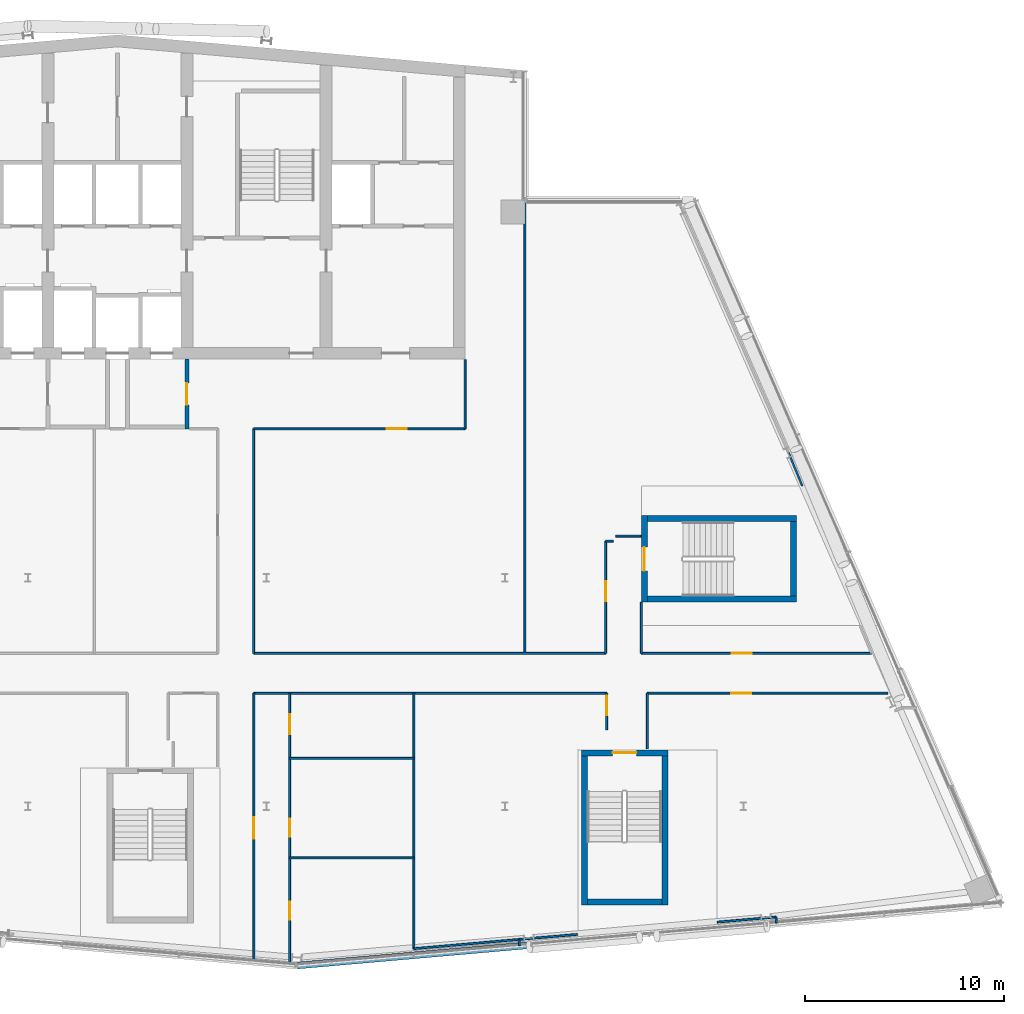
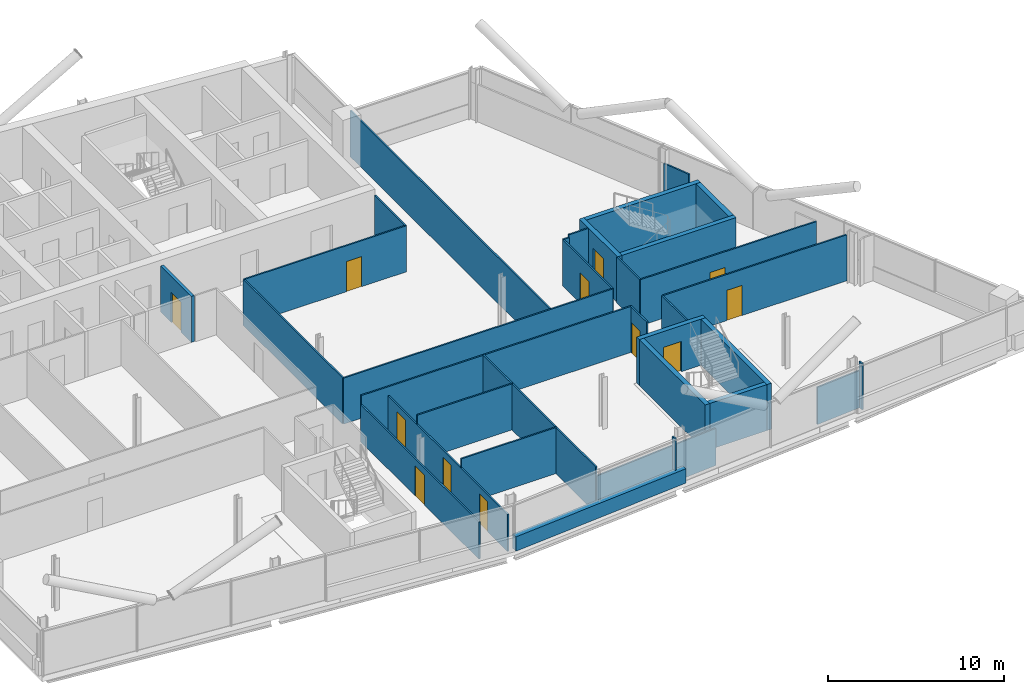
# One storey, part 16 of 26: 35 walls, 12 doors, 12 openings.
"""IFC4 building model written with IfcOpenShell, lengths in metres."""

from ifc_helpers import new_model, si_unit, direction, frame, frame_2d, origin, place, context, subcontext, project, spatial, rectangle, extrude, material, layer, layer_set, type_object, element, fill, save


model = new_model("IFC4")

# Units and contexts
model_context = context("Model", 3, precision=1e-05, world=origin(), true_north=direction((0.0, 1.0)))
body_context = subcontext(model_context, "Body", "Model", "MODEL_VIEW")
ifc_project = project(units=[si_unit("LENGTHUNIT", "METRE"), si_unit("AREAUNIT", "SQUARE_METRE"), si_unit("VOLUMEUNIT", "CUBIC_METRE"), si_unit("PLANEANGLEUNIT", "RADIAN"), si_unit("MASSUNIT", "GRAM", prefix="KILO")], contexts=[model_context])

# Site, building, storey
site_placement = place(None, origin())
site = spatial("IfcSite", under=ifc_project, at=site_placement, CompositionType="ELEMENT")
building_placement = place(site_placement, origin())
building = spatial("IfcBuilding", under=site, at=building_placement, Name="Wharfspan Tower", CompositionType="ELEMENT")
storey_placement = place(building_placement, frame((0.0, 0.0, 214.300049)))
storey = spatial("IfcBuildingStorey", under=building, at=storey_placement, Name="L53", CompositionType="ELEMENT", Elevation=214.300049)

# Walls
ifc_material_1 = material(Name="Gypsum board on steel studs", Category="steel")
ifc_layer_1 = layer(ifc_material_1, 0.100098)
ifc_layer_set_1 = layer_set([ifc_layer_1], Name="Gypsum board on steel studs")
wall_type_1 = type_object("IfcWallType", Name="Compartment wall 100 EI 60", PredefinedType="PARTITIONING", material=ifc_layer_set_1)
wall_1_placement = place(storey_placement, frame((47.360107, 19.199951, 0.0), z_axis=(0.0, 0.0, 1.0), x_axis=(0.0, 1.0, 0.0)))
element("IfcWall", 1, at=wall_1_placement, inside=storey, type_object=wall_type_1, Name="Partition L53.w022", PredefinedType="PARTITIONING", context=body_context, shape_type="SweptSolid", body=[
    extrude(rectangle(XDim=11.300049, YDim=0.100098, at=frame_2d((5.649902, 0.0))), origin(), (0.0, 0.0, 1.0), 3.199951),
])
wall_2_placement = place(storey_placement, frame((47.360107, 19.199951, 0.0), z_axis=(0.0, 0.0, 1.0), x_axis=(1.0, 0.0, 0.0)))
element("IfcWall", 2, at=wall_2_placement, inside=storey, type_object=wall_type_1, Name="Partition L53.w023", PredefinedType="PARTITIONING", context=body_context, shape_type="SweptSolid", body=[
    extrude(rectangle(XDim=17.709961, YDim=0.100098, at=frame_2d((8.85498, 0.0))), origin(), (0.0, 0.0, 1.0), 3.199951),
])

# Wall, opening, door
wall_3_placement = place(storey_placement, frame((47.360107, 30.5, 0.0), z_axis=(0.0, 0.0, 1.0), x_axis=(1.0, 0.0, 0.0)))
wall_3 = element("IfcWall", 3, at=wall_3_placement, inside=storey, type_object=wall_type_1, Name="Partition L53.w024", PredefinedType="PARTITIONING", context=body_context, shape_type="SweptSolid", body=[
    extrude(rectangle(XDim=10.639893, YDim=0.100098, at=frame_2d((5.319824, 0.0))), origin(), (0.0, 0.0, 1.0), 3.199951),
])
opening_1_placement = place(wall_3_placement, frame((6.699951, 0.0, 0.0)))
opening_1 = element("IfcOpeningElement", 4, at=opening_1_placement, cuts=wall_3, Name="Opening D2-15", PredefinedType="OPENING", context=body_context, shape_type="SweptSolid", body=[
    extrude(rectangle(XDim=1.0, YDim=2.100098, at=frame_2d((0.5, 1.050049))), frame((0.0, 0.060059, 0.0), z_axis=(0.0, -1.0, 0.0), x_axis=(1.0, 0.0, 0.0)), (0.0, 0.0, 1.0), 0.120117),
])
ifc_material_2 = material(Name="Fire-rated timber door leaf in steel frame", Category="steel")
door_type_1 = type_object("IfcDoorType", Name="Door 1000 FD30S Right", OperationType="SINGLE_SWING_RIGHT", PredefinedType="DOOR", material=ifc_material_2)
door_1_placement = place(opening_1_placement, origin())
door_1 = element("IfcDoor", 5, at=door_1_placement, inside=storey, type_object=door_type_1, Name="Door D2-15", OperationType="SINGLE_SWING_RIGHT", OverallHeight=2.100098, OverallWidth=1.0, PredefinedType="DOOR", context=body_context, shape_type="SweptSolid", body=[
    extrude(rectangle(XDim=1.0, YDim=2.100098, at=frame_2d((0.5, 1.050049))), frame((0.0, 0.024902, 0.0), z_axis=(0.0, -1.0, 0.0), x_axis=(1.0, 0.0, 0.0)), (0.0, 0.0, 1.0), 0.050049),
])
fill(opening_1, door_1)

wall_4_placement = place(storey_placement, frame((47.370117, 3.700684, 0.0), z_axis=(0.0, 0.0, 1.0), x_axis=(0.0, 1.0, 0.0)))
wall_4 = element("IfcWall", 6, at=wall_4_placement, inside=storey, type_object=wall_type_1, Name="Partition L53.w025", PredefinedType="PARTITIONING", context=body_context, shape_type="SweptSolid", body=[
    extrude(rectangle(XDim=13.484375, YDim=0.100098, at=frame_2d((6.742188, 0.0))), origin(), (0.0, 0.0, 1.0), 2.579834),
])
opening_2_placement = place(wall_4_placement, frame((6.159424, 0.0, 0.0)))
opening_2 = element("IfcOpeningElement", 7, at=opening_2_placement, cuts=wall_4, Name="Opening D2-02", PredefinedType="OPENING", context=body_context, shape_type="SweptSolid", body=[
    extrude(rectangle(XDim=1.100098, YDim=2.100098, at=frame_2d((0.550049, 1.050049))), frame((0.0, 0.060059, 0.0), z_axis=(0.0, -1.0, 0.0), x_axis=(1.0, 0.0, 0.0)), (0.0, 0.0, 1.0), 0.120117),
])
door_type_2 = type_object("IfcDoorType", Name="Door 1100 FD30S Left", OperationType="SINGLE_SWING_LEFT", PredefinedType="DOOR", material=ifc_material_2)
door_2_placement = place(opening_2_placement, origin())
door_2 = element("IfcDoor", 8, at=door_2_placement, inside=storey, type_object=door_type_2, Name="Door D2-02", OperationType="SINGLE_SWING_LEFT", OverallHeight=2.100098, OverallWidth=1.100098, PredefinedType="DOOR", context=body_context, shape_type="SweptSolid", body=[
    extrude(rectangle(XDim=1.100098, YDim=2.100098, at=frame_2d((0.550049, 1.050049))), frame((0.0, 0.024902, 0.0), z_axis=(0.0, -1.0, 0.0), x_axis=(1.0, 0.0, 0.0)), (0.0, 0.0, 1.0), 0.050049),
])
fill(opening_2, door_2)

# Wall
wall_5_placement = place(storey_placement, frame((47.370117, 17.185059, 0.0), z_axis=(0.0, 0.0, 1.0), x_axis=(1.0, 0.0, 0.0)))
element("IfcWall", 9, at=wall_5_placement, inside=storey, type_object=wall_type_1, Name="Partition L53.w026", PredefinedType="PARTITIONING", context=body_context, shape_type="SweptSolid", body=[
    extrude(rectangle(XDim=17.75, YDim=0.100098, at=frame_2d((8.875, 0.0))), origin(), (0.0, 0.0, 1.0), 3.199951),
])

# Wall, openings, doors
wall_6_placement = place(storey_placement, frame((49.159912, 3.543945, 0.0), z_axis=(0.0, 0.0, 1.0), x_axis=(0.0, 1.0, 0.0)))
wall_6 = element("IfcWall", 10, at=wall_6_placement, inside=storey, type_object=wall_type_1, Name="Partition L53.w027", PredefinedType="PARTITIONING", context=body_context, shape_type="SweptSolid", body=[
    extrude(rectangle(XDim=13.641113, YDim=0.100098, at=frame_2d((6.820557, 0.0))), origin(), (0.0, 0.0, 1.0), 2.579834),
])
opening_3_placement = place(wall_6_placement, frame((2.25, 0.0, 0.0)))
opening_3 = element("IfcOpeningElement", 11, at=opening_3_placement, cuts=wall_6, Name="Opening D2-01", PredefinedType="OPENING", context=body_context, shape_type="SweptSolid", body=[
    extrude(rectangle(XDim=0.899902, YDim=2.100098, at=frame_2d((0.449951, 1.050049))), frame((0.0, 0.060059, 0.0), z_axis=(0.0, -1.0, 0.0), x_axis=(1.0, 0.0, 0.0)), (0.0, 0.0, 1.0), 0.120117),
])
opening_4_placement = place(wall_6_placement, frame((6.429932, 0.0, 0.0)))
opening_4 = element("IfcOpeningElement", 12, at=opening_4_placement, cuts=wall_6, Name="Opening D2-03", PredefinedType="OPENING", context=body_context, shape_type="SweptSolid", body=[
    extrude(rectangle(XDim=0.899902, YDim=2.100098, at=frame_2d((0.449951, 1.050049))), frame((0.0, 0.060059, 0.0), z_axis=(0.0, -1.0, 0.0), x_axis=(1.0, 0.0, 0.0)), (0.0, 0.0, 1.0), 0.120117),
])
opening_5_placement = place(wall_6_placement, frame((11.584961, 0.0, 0.0)))
opening_5 = element("IfcOpeningElement", 13, at=opening_5_placement, cuts=wall_6, Name="Opening D2-04", PredefinedType="OPENING", context=body_context, shape_type="SweptSolid", body=[
    extrude(rectangle(XDim=1.0, YDim=2.100098, at=frame_2d((0.5, 1.050049))), frame((0.0, 0.060059, 0.0), z_axis=(0.0, -1.0, 0.0), x_axis=(1.0, 0.0, 0.0)), (0.0, 0.0, 1.0), 0.120117),
])
ifc_material_3 = material(Name="Timber door leaf in steel frame", Category="steel")
door_type_3 = type_object("IfcDoorType", Name="Door 1000 NOT RATED Right", OperationType="SINGLE_SWING_RIGHT", PredefinedType="DOOR", material=ifc_material_3)
door_3_placement = place(opening_5_placement, origin())
door_3 = element("IfcDoor", 14, at=door_3_placement, inside=storey, type_object=door_type_3, Name="Door D2-04", OperationType="SINGLE_SWING_RIGHT", OverallHeight=2.100098, OverallWidth=1.0, PredefinedType="DOOR", context=body_context, shape_type="SweptSolid", body=[
    extrude(rectangle(XDim=1.0, YDim=2.100098, at=frame_2d((0.5, 1.050049))), frame((0.0, 0.024902, 0.0), z_axis=(0.0, -1.0, 0.0), x_axis=(1.0, 0.0, 0.0)), (0.0, 0.0, 1.0), 0.050049),
])
fill(opening_5, door_3)
door_type_4 = type_object("IfcDoorType", Name="Door 900 NOT RATED Left", OperationType="SINGLE_SWING_LEFT", PredefinedType="DOOR", material=ifc_material_3)
door_4_placement = place(opening_3_placement, origin())
door_4 = element("IfcDoor", 15, at=door_4_placement, inside=storey, type_object=door_type_4, Name="Door D2-01", OperationType="SINGLE_SWING_LEFT", OverallHeight=2.100098, OverallWidth=0.899902, PredefinedType="DOOR", context=body_context, shape_type="SweptSolid", body=[
    extrude(rectangle(XDim=0.899902, YDim=2.100098, at=frame_2d((0.449951, 1.050049))), frame((0.0, 0.024902, 0.0), z_axis=(0.0, -1.0, 0.0), x_axis=(1.0, 0.0, 0.0)), (0.0, 0.0, 1.0), 0.050049),
])
fill(opening_3, door_4)
door_type_5 = type_object("IfcDoorType", Name="Door 900 NOT RATED Right", OperationType="SINGLE_SWING_RIGHT", PredefinedType="DOOR", material=ifc_material_3)
door_5_placement = place(opening_4_placement, origin())
door_5 = element("IfcDoor", 16, at=door_5_placement, inside=storey, type_object=door_type_5, Name="Door D2-03", OperationType="SINGLE_SWING_RIGHT", OverallHeight=2.100098, OverallWidth=0.899902, PredefinedType="DOOR", context=body_context, shape_type="SweptSolid", body=[
    extrude(rectangle(XDim=0.899902, YDim=2.100098, at=frame_2d((0.449951, 1.050049))), frame((0.0, 0.024902, 0.0), z_axis=(0.0, -1.0, 0.0), x_axis=(1.0, 0.0, 0.0)), (0.0, 0.0, 1.0), 0.050049),
])
fill(opening_4, door_5)

# Walls
wall_7_placement = place(storey_placement, frame((55.415039, 4.344971, 0.0), z_axis=(0.0, 0.0, 1.0), x_axis=(0.0, 1.0, 0.0)))
element("IfcWall", 17, at=wall_7_placement, inside=storey, type_object=wall_type_1, Name="Partition L53.w031", PredefinedType="PARTITIONING", context=body_context, shape_type="SweptSolid", body=[
    extrude(rectangle(XDim=12.850098, YDim=0.100098, at=frame_2d((6.425049, 0.0))), origin(), (0.0, 0.0, 1.0), 3.199951),
])
wall_8_placement = place(storey_placement, frame((58.0, 30.5, 0.0), z_axis=(0.0, 0.0, 1.0), x_axis=(0.0, 1.0, 0.0)))
element("IfcWall", 18, at=wall_8_placement, inside=storey, type_object=wall_type_1, Name="Partition L53.w033", PredefinedType="PARTITIONING", context=body_context, shape_type="SweptSolid", body=[
    extrude(rectangle(XDim=3.47998, YDim=0.100098, at=frame_2d((1.73999, 0.0))), origin(), (0.0, 0.0, 1.0), 3.199951),
])
wall_9_placement = place(storey_placement, frame((61.0, 19.199951, 0.0), z_axis=(0.0, 0.0, 1.0), x_axis=(0.0, 1.0, 0.0)))
element("IfcWall", 19, at=wall_9_placement, inside=storey, type_object=wall_type_1, Name="Partition L53.w036", PredefinedType="PARTITIONING", context=body_context, shape_type="SweptSolid", body=[
    extrude(rectangle(XDim=22.780029, YDim=0.100098, at=frame_2d((11.390137, 0.0))), origin(), (0.0, 0.0, 1.0), 3.199951),
])

# Wall, opening, door
wall_10_placement = place(storey_placement, frame((65.070068, 19.199951, 0.0), z_axis=(0.0, 0.0, 1.0), x_axis=(0.0, 1.0, 0.0)))
wall_10 = element("IfcWall", 20, at=wall_10_placement, inside=storey, type_object=wall_type_1, Name="Partition L53.w037", PredefinedType="PARTITIONING", context=body_context, shape_type="SweptSolid", body=[
    extrude(rectangle(XDim=5.650146, YDim=0.100098, at=frame_2d((2.825195, 0.0))), origin(), (0.0, 0.0, 1.0), 3.199951),
])
opening_6_placement = place(wall_10_placement, frame((2.618652, 0.0, 0.0)))
opening_6 = element("IfcOpeningElement", 21, at=opening_6_placement, cuts=wall_10, Name="Opening D2-11", PredefinedType="OPENING", context=body_context, shape_type="SweptSolid", body=[
    extrude(rectangle(XDim=1.0, YDim=2.100098, at=frame_2d((0.5, 1.050049))), frame((0.0, 0.060059, 0.0), z_axis=(0.0, -1.0, 0.0), x_axis=(1.0, 0.0, 0.0)), (0.0, 0.0, 1.0), 0.120117),
])
door_6_placement = place(opening_6_placement, origin())
door_6 = element("IfcDoor", 22, at=door_6_placement, inside=storey, type_object=door_type_1, Name="Door D2-11", OperationType="SINGLE_SWING_RIGHT", OverallHeight=2.100098, OverallWidth=1.0, PredefinedType="DOOR", context=body_context, shape_type="SweptSolid", body=[
    extrude(rectangle(XDim=1.0, YDim=2.100098, at=frame_2d((0.5, 1.050049))), frame((0.0, 0.024902, 0.0), z_axis=(0.0, -1.0, 0.0), x_axis=(1.0, 0.0, 0.0)), (0.0, 0.0, 1.0), 0.050049),
])
fill(opening_6, door_6)

# Wall
wall_11_placement = place(storey_placement, frame((65.070068, 24.850098, 0.0), z_axis=(0.0, 0.0, 1.0), x_axis=(1.0, 0.0, 0.0)))
element("IfcWall", 23, at=wall_11_placement, inside=storey, type_object=wall_type_1, Name="Partition L53.w038", PredefinedType="PARTITIONING", context=body_context, shape_type="SweptSolid", body=[
    extrude(rectangle(XDim=0.379883, YDim=0.100098, at=frame_2d((0.189941, 0.0))), origin(), (0.0, 0.0, 1.0), 3.199951),
])

# Wall, opening, door
wall_12_placement = place(storey_placement, frame((65.120117, 15.346191, 0.0), z_axis=(0.0, 0.0, 1.0), x_axis=(0.0, 1.0, 0.0)))
wall_12 = element("IfcWall", 24, at=wall_12_placement, inside=storey, type_object=wall_type_1, Name="Partition L53.w039", PredefinedType="PARTITIONING", context=body_context, shape_type="SweptSolid", body=[
    extrude(rectangle(XDim=1.848877, YDim=0.100098, at=frame_2d((0.924316, 0.0))), origin(), (0.0, 0.0, 1.0), 3.199951),
])
opening_7_placement = place(wall_12_placement, frame((0.72876, 0.0, 0.0)))
opening_7 = element("IfcOpeningElement", 25, at=opening_7_placement, cuts=wall_12, Name="Opening D2-05", PredefinedType="OPENING", context=body_context, shape_type="SweptSolid", body=[
    extrude(rectangle(XDim=1.0, YDim=2.100098, at=frame_2d((0.5, 1.050049))), frame((0.0, 0.060059, 0.0), z_axis=(0.0, -1.0, 0.0), x_axis=(1.0, 0.0, 0.0)), (0.0, 0.0, 1.0), 0.120117),
])
door_7_placement = place(opening_7_placement, origin())
door_7 = element("IfcDoor", 26, at=door_7_placement, inside=storey, type_object=door_type_1, Name="Door D2-05", OperationType="SINGLE_SWING_RIGHT", OverallHeight=2.100098, OverallWidth=1.0, PredefinedType="DOOR", context=body_context, shape_type="SweptSolid", body=[
    extrude(rectangle(XDim=1.0, YDim=2.100098, at=frame_2d((0.5, 1.050049))), frame((0.0, 0.024902, 0.0), z_axis=(0.0, -1.0, 0.0), x_axis=(1.0, 0.0, 0.0)), (0.0, 0.0, 1.0), 0.050049),
])
fill(opening_7, door_7)

# Walls
wall_13_placement = place(storey_placement, frame((65.570068, 25.100098, 0.0), z_axis=(0.0, 0.0, 1.0), x_axis=(1.0, 0.0, 0.0)))
element("IfcWall", 27, at=wall_13_placement, inside=storey, type_object=wall_type_1, Name="Partition L53.w040", PredefinedType="PARTITIONING", context=body_context, shape_type="SweptSolid", body=[
    extrude(rectangle(XDim=1.279541, YDim=0.100098, at=frame_2d((0.639648, 0.0))), origin(), (0.0, 0.0, 1.0), 3.199951),
])
wall_14_placement = place(storey_placement, frame((66.870117, 19.199951, 0.0), z_axis=(0.0, 0.0, 1.0), x_axis=(0.0, 1.0, 0.0)))
element("IfcWall", 28, at=wall_14_placement, inside=storey, type_object=wall_type_1, Name="Partition L53.w041", PredefinedType="PARTITIONING", context=body_context, shape_type="SweptSolid", body=[
    extrude(rectangle(XDim=2.574951, YDim=0.100098, at=frame_2d((1.287598, 0.0))), origin(), (0.0, 0.0, 1.0), 3.199951),
])

# Wall, opening, door
wall_15_placement = place(storey_placement, frame((66.870117, 19.199951, 0.0), z_axis=(0.0, 0.0, 1.0), x_axis=(1.0, 0.0, 0.0)))
wall_15 = element("IfcWall", 29, at=wall_15_placement, inside=storey, type_object=wall_type_1, Name="Partition L53.w042", PredefinedType="PARTITIONING", context=body_context, shape_type="SweptSolid", body=[
    extrude(rectangle(XDim=11.569824, YDim=0.100098, at=frame_2d((5.784912, 0.0))), origin(), (0.0, 0.0, 1.0), 3.199951),
])
opening_8_placement = place(wall_15_placement, frame((4.55127, 0.0, 0.0)))
opening_8 = element("IfcOpeningElement", 30, at=opening_8_placement, cuts=wall_15, Name="Opening D2-10", PredefinedType="OPENING", context=body_context, shape_type="SweptSolid", body=[
    extrude(rectangle(XDim=1.0, YDim=2.100098, at=frame_2d((0.5, 1.050049))), frame((0.0, 0.060059, 0.0), z_axis=(0.0, -1.0, 0.0), x_axis=(1.0, 0.0, 0.0)), (0.0, 0.0, 1.0), 0.120117),
])
door_type_6 = type_object("IfcDoorType", Name="Door 1000 FD30S Left", OperationType="SINGLE_SWING_LEFT", PredefinedType="DOOR", material=ifc_material_2)
door_8_placement = place(opening_8_placement, origin())
door_8 = element("IfcDoor", 31, at=door_8_placement, inside=storey, type_object=door_type_6, Name="Door D2-10", OperationType="SINGLE_SWING_LEFT", OverallHeight=2.100098, OverallWidth=1.0, PredefinedType="DOOR", context=body_context, shape_type="SweptSolid", body=[
    extrude(rectangle(XDim=1.0, YDim=2.100098, at=frame_2d((0.5, 1.050049))), frame((0.0, 0.024902, 0.0), z_axis=(0.0, -1.0, 0.0), x_axis=(1.0, 0.0, 0.0)), (0.0, 0.0, 1.0), 0.050049),
])
fill(opening_8, door_8)

# Wall
wall_16_placement = place(storey_placement, frame((67.169922, 14.39502, 0.0), z_axis=(0.0, 0.0, 1.0), x_axis=(0.0, 1.0, 0.0)))
element("IfcWall", 32, at=wall_16_placement, inside=storey, type_object=wall_type_1, Name="Partition L53.w043", PredefinedType="PARTITIONING", context=body_context, shape_type="SweptSolid", body=[
    extrude(rectangle(XDim=2.800049, YDim=0.100098, at=frame_2d((1.399902, 0.0))), origin(), (0.0, 0.0, 1.0), 3.199951),
])

# Wall, opening, door
wall_17_placement = place(storey_placement, frame((67.169922, 17.195068, 0.0), z_axis=(0.0, 0.0, 1.0), x_axis=(1.0, 0.0, 0.0)))
wall_17 = element("IfcWall", 33, at=wall_17_placement, inside=storey, type_object=wall_type_1, Name="Partition L53.w044", PredefinedType="PARTITIONING", context=body_context, shape_type="SweptSolid", body=[
    extrude(rectangle(XDim=12.094971, YDim=0.100098, at=frame_2d((6.047363, 0.0))), origin(), (0.0, 0.0, 1.0), 3.199951),
])
opening_9_placement = place(wall_17_placement, frame((4.219971, 0.0, 0.0)))
opening_9 = element("IfcOpeningElement", 34, at=opening_9_placement, cuts=wall_17, Name="Opening D2-08", PredefinedType="OPENING", context=body_context, shape_type="SweptSolid", body=[
    extrude(rectangle(XDim=1.0, YDim=2.100098, at=frame_2d((0.5, 1.050049))), frame((0.0, 0.060059, 0.0), z_axis=(0.0, -1.0, 0.0), x_axis=(1.0, 0.0, 0.0)), (0.0, 0.0, 1.0), 0.120117),
])
door_9_placement = place(opening_9_placement, origin())
door_9 = element("IfcDoor", 35, at=door_9_placement, inside=storey, type_object=door_type_6, Name="Door D2-08", OperationType="SINGLE_SWING_LEFT", OverallHeight=2.100098, OverallWidth=1.0, PredefinedType="DOOR", context=body_context, shape_type="SweptSolid", body=[
    extrude(rectangle(XDim=1.0, YDim=2.100098, at=frame_2d((0.5, 1.050049))), frame((0.0, 0.024902, 0.0), z_axis=(0.0, -1.0, 0.0), x_axis=(1.0, 0.0, 0.0)), (0.0, 0.0, 1.0), 0.050049),
])
fill(opening_9, door_9)

ifc_material_4 = material(Name="Concrete C30/37", Category="concrete")
ifc_layer_2 = layer(ifc_material_4, 0.199951)
ifc_layer_set_2 = layer_set([ifc_layer_2], Name="Concrete C30/37")
wall_type_2 = type_object("IfcWallType", Name="Lobby wall 200", PredefinedType="PARTITIONING", material=ifc_layer_set_2)
wall_18_placement = place(storey_placement, frame((44.0, 30.5, 0.0), z_axis=(0.0, 0.0, 1.0), x_axis=(0.0, 1.0, 0.0)))
wall_18 = element("IfcWall", 36, at=wall_18_placement, inside=storey, type_object=wall_type_2, Name="sw:L53:FLFF2E", PredefinedType="PARTITIONING", context=body_context, shape_type="SweptSolid", body=[
    extrude(rectangle(XDim=3.5, YDim=0.199951, at=frame_2d((1.75, 0.0))), origin(), (0.0, 0.0, 1.0), 3.199951),
])
opening_10_placement = place(wall_18_placement, frame((1.199951, 0.0, 0.0)))
opening_10 = element("IfcOpeningElement", 37, at=opening_10_placement, cuts=wall_18, Name="Opening FL.FF2.L53", PredefinedType="OPENING", context=body_context, shape_type="SweptSolid", body=[
    extrude(rectangle(XDim=1.100098, YDim=2.100098, at=frame_2d((0.550049, 1.050049))), frame((0.0, 0.109863, 0.0), z_axis=(0.0, -1.0, 0.0), x_axis=(1.0, 0.0, 0.0)), (0.0, 0.0, 1.0), 0.219971),
])
ifc_material_5 = material(Name="Steel door leaf", Category="steel")
door_type_7 = type_object("IfcDoorType", Name="Firefighting lobby door 1100x2100", OperationType="SINGLE_SWING_LEFT", PredefinedType="DOOR", material=ifc_material_5)
door_10_placement = place(opening_10_placement, origin())
door_10 = element("IfcDoor", 38, at=door_10_placement, inside=storey, type_object=door_type_7, Name="fd:L53:FF2", OperationType="SINGLE_SWING_LEFT", OverallHeight=2.100098, OverallWidth=1.100098, PredefinedType="DOOR", context=body_context, shape_type="SweptSolid", body=[
    extrude(rectangle(XDim=1.100098, YDim=2.100098, at=frame_2d((0.550049, 1.050049))), frame((0.0, 0.024902, 0.0), z_axis=(0.0, -1.0, 0.0), x_axis=(1.0, 0.0, 0.0)), (0.0, 0.0, 1.0), 0.050049),
])
fill(opening_10, door_10)

# Walls
ifc_layer_3 = layer(ifc_material_1, 0.100098)
ifc_layer_set_3 = layer_set([ifc_layer_3], Name="Gypsum board on steel studs")
wall_type_3 = type_object("IfcWallType", Name="Partition 100", PredefinedType="PARTITIONING", material=ifc_layer_set_3)
for number, where, z_axis, x_axis, name in (
    (39, (49.159912, 8.905029, 0.0), (0.0, 0.0, 1.0), (1.0, 0.0, 0.0), "Partition L53.w028"),
    (40, (49.159912, 13.909912, 0.0), (0.0, 0.0, 1.0), (1.0, 0.0, 0.0), "Partition L53.w029"),
):
    element("IfcWall", number, at=place(storey_placement, frame(where, z_axis=z_axis, x_axis=x_axis)), inside=storey, type_object=wall_type_3, Name=name, PredefinedType="PARTITIONING", context=body_context, shape_type="SweptSolid", body=[
        extrude(rectangle(XDim=6.255127, YDim=0.100098, at=frame_2d((3.127441, 0.0))), origin(), (0.0, 0.0, 1.0), 3.199951),
    ])
wall_19_placement = place(storey_placement, frame((55.415039, 4.340088, 0.0), z_axis=(0.0, 0.0, 1.0), x_axis=(0.996159, 0.087534, 0.0)))
element("IfcWall", 41, at=wall_19_placement, inside=storey, type_object=wall_type_3, Name="Partition L53.w030", PredefinedType="PARTITIONING", context=body_context, shape_type="SweptSolid", body=[
    extrude(rectangle(XDim=5.310303, YDim=0.100098, at=frame_2d((2.655273, 0.0))), origin(), (0.0, 0.0, 1.0), 2.579834),
])
wall_20_placement = place(storey_placement, frame((60.705078, 4.804932, 0.0), z_axis=(0.0, 0.0, 1.0), x_axis=(0.996324, 0.085692, 0.0)))
element("IfcWall", 42, at=wall_20_placement, inside=storey, type_object=wall_type_3, Name="Partition L53.w034", PredefinedType="PARTITIONING", context=body_context, shape_type="SweptSolid", body=[
    extrude(rectangle(XDim=2.95459, YDim=0.100098, at=frame_2d((1.477295, 0.0))), origin(), (0.0, 0.0, 1.0), 2.579834),
])
wall_21_placement = place(storey_placement, frame((60.73291, 4.49707, 0.0), z_axis=(0.0, 0.0, 1.0), x_axis=(-0.090037, 0.995936, 0.0)))
element("IfcWall", 43, at=wall_21_placement, inside=storey, type_object=wall_type_3, Name="Partition L53.w035", PredefinedType="PARTITIONING", context=body_context, shape_type="SweptSolid", body=[
    extrude(rectangle(XDim=0.309082, YDim=0.100098, at=frame_2d((0.154541, 0.0))), origin(), (0.0, 0.0, 1.0), 3.199951),
])
wall_22_placement = place(storey_placement, frame((70.688721, 5.676514, 0.0), z_axis=(0.0, 0.0, 1.0), x_axis=(0.996174, 0.087417, 0.0)))
element("IfcWall", 44, at=wall_22_placement, inside=storey, type_object=wall_type_3, Name="Partition L53.w045", PredefinedType="PARTITIONING", context=body_context, shape_type="SweptSolid", body=[
    extrude(rectangle(XDim=2.95752, YDim=0.100098, at=frame_2d((1.47876, 0.0))), origin(), (0.0, 0.0, 1.0), 2.579834),
])
wall_23_placement = place(storey_placement, frame((73.66333, 5.628174, 0.0), z_axis=(0.0, 0.0, 1.0), x_axis=(-0.091893, 0.995772, 0.0)))
element("IfcWall", 45, at=wall_23_placement, inside=storey, type_object=wall_type_3, Name="Partition L53.w046", PredefinedType="PARTITIONING", context=body_context, shape_type="SweptSolid", body=[
    extrude(rectangle(XDim=0.308105, YDim=0.100098, at=frame_2d((0.154053, 0.0))), origin(), (0.0, 0.0, 1.0), 3.199951),
])
wall_24_placement = place(storey_placement, frame((74.961914, 27.620117, 0.0), z_axis=(0.0, 0.0, 1.0), x_axis=(-0.381293, 0.924452, 0.0)))
element("IfcWall", 46, at=wall_24_placement, inside=storey, type_object=wall_type_3, Name="Partition L53.w048", PredefinedType="PARTITIONING", context=body_context, shape_type="SweptSolid", body=[
    extrude(rectangle(XDim=1.828125, YDim=0.100098, at=frame_2d((0.914062, 0.0))), origin(), (0.0, 0.0, 1.0), 2.579834),
])
ifc_material_6 = material(Name="Concrete C40/50", Category="concrete")
ifc_layer_4 = layer(ifc_material_6, 0.350098)
ifc_layer_set_4 = layer_set([ifc_layer_4], Name="Concrete C40/50")
wall_type_4 = type_object("IfcWallType", Name="SPANDREL EXPOSED CONCRETE 350", PredefinedType="SOLIDWALL", material=ifc_layer_set_4)
wall_25_placement = place(storey_placement, frame((49.54541, 3.493164, 0.0), z_axis=(0.0, 0.0, 1.0), x_axis=(0.996196, 0.087141, 0.0)))
element("IfcWall", 47, at=wall_25_placement, inside=storey, type_object=wall_type_4, Name="Spandrel upstand L53 S2 1", PredefinedType="SOLIDWALL", context=body_context, shape_type="SweptSolid", body=[
    extrude(rectangle(XDim=11.803467, YDim=0.350098, at=frame_2d((5.901855, 0.0))), origin(), (0.0, 0.0, 1.0), 1.0),
])

# Wall, opening, door
ifc_layer_5 = layer(ifc_material_6, 0.300049)
ifc_layer_set_5 = layer_set([ifc_layer_5], Name="Concrete C40/50")
wall_type_5 = type_object("IfcWallType", Name="Stair core wall 300", PredefinedType="SHEAR", material=ifc_layer_set_5)
wall_26_placement = place(storey_placement, frame((63.84375, 14.196289, 0.0), z_axis=(0.0, 0.0, 1.0), x_axis=(1.0, 0.0, 0.0)))
wall_26 = element("IfcWall", 48, at=wall_26_placement, inside=storey, type_object=wall_type_5, Name="ST5 stair enclosure wall L53", PredefinedType="SHEAR", context=body_context, shape_type="SweptSolid", body=[
    extrude(rectangle(XDim=4.350098, YDim=0.300049, at=frame_2d((2.175049, 0.0))), origin(), (0.0, 0.0, 1.0), 3.199951),
])
opening_11_placement = place(wall_26_placement, frame((1.574951, 0.0, 0.0)))
opening_11 = element("IfcOpeningElement", 49, at=opening_11_placement, cuts=wall_26, Name="Opening SD5.L53", PredefinedType="OPENING", context=body_context, shape_type="SweptSolid", body=[
    extrude(rectangle(XDim=1.199951, YDim=2.100098, at=frame_2d((0.600098, 1.050049))), frame((0.0, 0.159912, 0.0), z_axis=(0.0, -1.0, 0.0), x_axis=(1.0, 0.0, 0.0)), (0.0, 0.0, 1.0), 0.320068),
])
door_type_8 = type_object("IfcDoorType", Name="Stair door 1200x2100", OperationType="SINGLE_SWING_LEFT", PredefinedType="DOOR", material=ifc_material_5)
door_11_placement = place(opening_11_placement, origin())
door_11 = element("IfcDoor", 50, at=door_11_placement, inside=storey, type_object=door_type_8, Name="sd:L53:ST5z4", OperationType="SINGLE_SWING_RIGHT", OverallHeight=2.100098, OverallWidth=1.199951, PredefinedType="DOOR", context=body_context, shape_type="SweptSolid", body=[
    extrude(rectangle(XDim=1.199951, YDim=2.100098, at=frame_2d((0.600098, 1.050049))), frame((0.0, 0.024902, 0.0), z_axis=(0.0, -1.0, 0.0), x_axis=(1.0, 0.0, 0.0)), (0.0, 0.0, 1.0), 0.050049),
])
fill(opening_11, door_11)

wall_27_placement = place(storey_placement, frame((67.019531, 21.774902, 0.0), z_axis=(0.0, 0.0, 1.0), x_axis=(0.0, 1.0, 0.0)))
wall_27 = element("IfcWall", 51, at=wall_27_placement, inside=storey, type_object=wall_type_5, Name="ST6 stair enclosure wall L53", PredefinedType="SHEAR", context=body_context, shape_type="SweptSolid", body=[
    extrude(rectangle(XDim=4.350098, YDim=0.300049, at=frame_2d((2.175049, 0.0))), origin(), (0.0, 0.0, 1.0), 3.199951),
])
opening_12_placement = place(wall_27_placement, frame((1.574951, 0.0, 0.0)))
opening_12 = element("IfcOpeningElement", 52, at=opening_12_placement, cuts=wall_27, Name="Opening SD6.L53", PredefinedType="OPENING", context=body_context, shape_type="SweptSolid", body=[
    extrude(rectangle(XDim=1.199951, YDim=2.100098, at=frame_2d((0.600098, 1.050049))), frame((0.0, 0.159912, 0.0), z_axis=(0.0, -1.0, 0.0), x_axis=(1.0, 0.0, 0.0)), (0.0, 0.0, 1.0), 0.320068),
])
door_12_placement = place(opening_12_placement, origin())
door_12 = element("IfcDoor", 53, at=door_12_placement, inside=storey, type_object=door_type_8, Name="sd:L53:ST6z4", OperationType="SINGLE_SWING_RIGHT", OverallHeight=2.100098, OverallWidth=1.199951, PredefinedType="DOOR", context=body_context, shape_type="SweptSolid", body=[
    extrude(rectangle(XDim=1.199951, YDim=2.100098, at=frame_2d((0.600098, 1.050049))), frame((0.0, 0.024902, 0.0), z_axis=(0.0, -1.0, 0.0), x_axis=(1.0, 0.0, 0.0)), (0.0, 0.0, 1.0), 0.050049),
])
fill(opening_12, door_12)

# Walls
for number, where, z_axis, x_axis, name in (
    (54, (63.993896, 6.546143, 0.0), (0.0, 0.0, 1.0), (0.0, 1.0, 0.0), "ST5 stair enclosure wall L53"),
    (55, (68.043701, 6.546143, 0.0), (0.0, 0.0, 1.0), (0.0, 1.0, 0.0), "ST5 stair enclosure wall L53"),
):
    element("IfcWall", number, at=place(storey_placement, frame(where, z_axis=z_axis, x_axis=x_axis)), inside=storey, type_object=wall_type_5, Name=name, PredefinedType="SHEAR", context=body_context, shape_type="SweptSolid", body=[
        extrude(rectangle(XDim=7.5, YDim=0.300049, at=frame_2d((3.75, 0.0))), origin(), (0.0, 0.0, 1.0), 3.199951),
    ])
wall_28_placement = place(storey_placement, frame((64.143799, 6.696289, 0.0), z_axis=(0.0, 0.0, 1.0), x_axis=(1.0, 0.0, 0.0)))
element("IfcWall", 56, at=wall_28_placement, inside=storey, type_object=wall_type_5, Name="ST5 stair enclosure wall L53", PredefinedType="SHEAR", context=body_context, shape_type="SweptSolid", body=[
    extrude(rectangle(XDim=3.75, YDim=0.300049, at=frame_2d((1.875, 0.0))), origin(), (0.0, 0.0, 1.0), 3.199951),
])
for number, where, z_axis, x_axis, name in (
    (57, (67.169678, 21.925049, 0.0), (0.0, 0.0, 1.0), (1.0, 0.0, 0.0), "ST6 stair enclosure wall L53"),
    (58, (67.169678, 25.975098, 0.0), (0.0, 0.0, 1.0), (1.0, 0.0, 0.0), "ST6 stair enclosure wall L53"),
):
    element("IfcWall", number, at=place(storey_placement, frame(where, z_axis=z_axis, x_axis=x_axis)), inside=storey, type_object=wall_type_5, Name=name, PredefinedType="SHEAR", context=body_context, shape_type="SweptSolid", body=[
        extrude(rectangle(XDim=7.5, YDim=0.300049, at=frame_2d((3.75, 0.0))), origin(), (0.0, 0.0, 1.0), 3.199951),
    ])
wall_29_placement = place(storey_placement, frame((74.519531, 22.074951, 0.0), z_axis=(0.0, 0.0, 1.0), x_axis=(0.0, 1.0, 0.0)))
element("IfcWall", 59, at=wall_29_placement, inside=storey, type_object=wall_type_5, Name="ST6 stair enclosure wall L53", PredefinedType="SHEAR", context=body_context, shape_type="SweptSolid", body=[
    extrude(rectangle(XDim=3.75, YDim=0.300049, at=frame_2d((1.875, 0.0))), origin(), (0.0, 0.0, 1.0), 3.199951),
])

save(model, "model.ifc")
